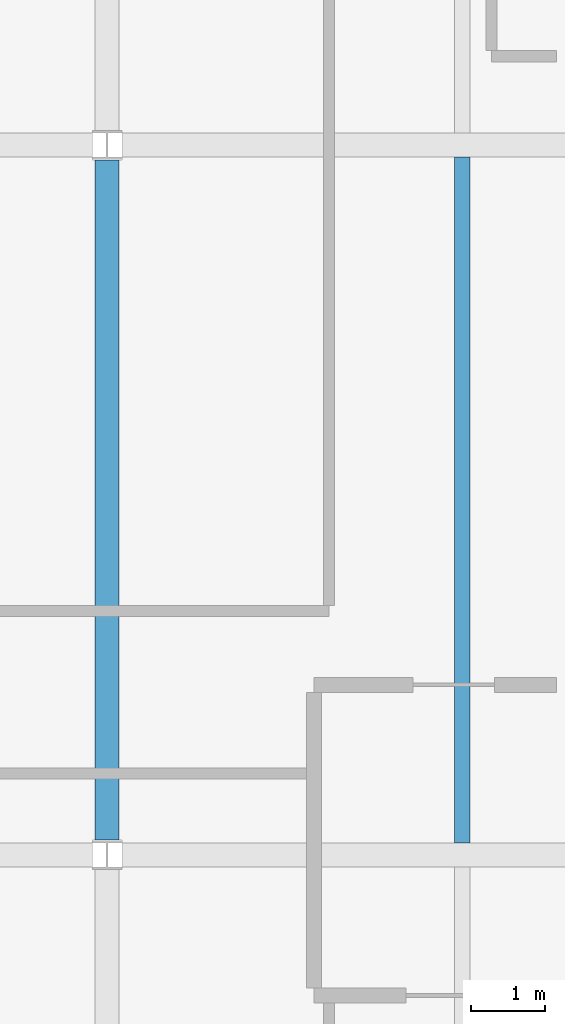
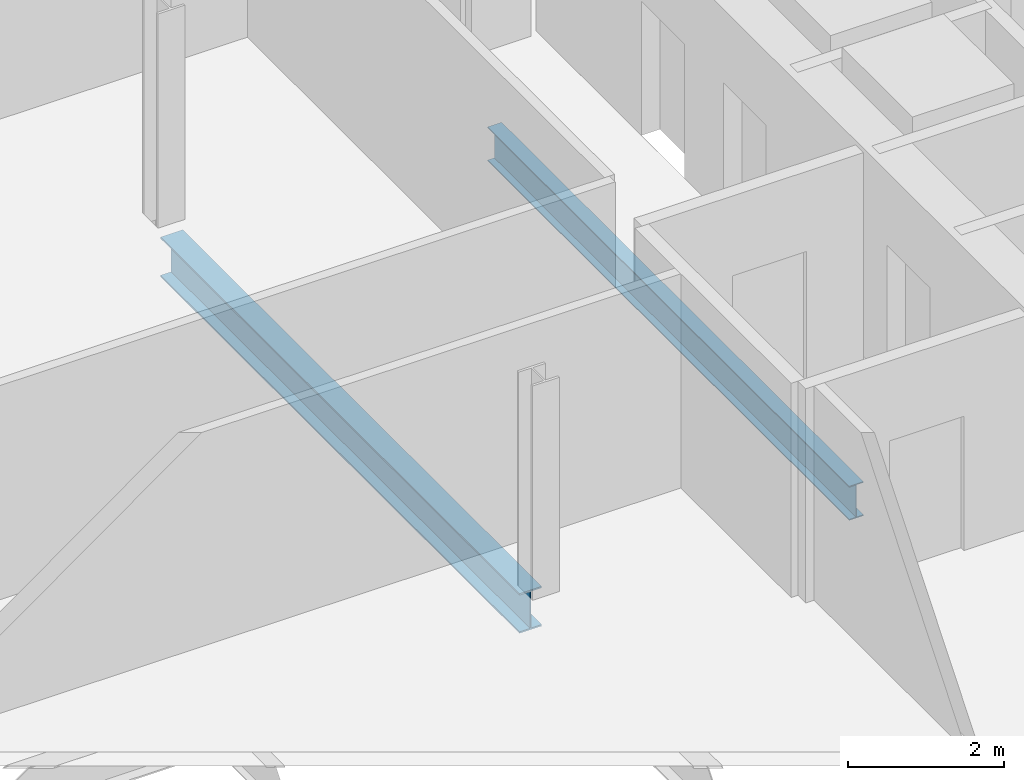
# One storey, part 5 of 15: 2 beams.
"""IFC4 building model written with IfcOpenShell, lengths in metres."""

from ifc_helpers import new_model, si_unit, direction, frame, origin, origin_2d, place, context, subcontext, project, spatial, i_section, extrude, material, material_profile, profile_set, type_object, element, save


model = new_model("IFC4")

# Units and contexts
model_context = context("Model", 3, precision=1e-05, world=origin(), true_north=direction((0.0, 1.0)))
body_context = subcontext(model_context, "Body", "Model", "MODEL_VIEW")
ifc_project = project(units=[si_unit("LENGTHUNIT", "METRE"), si_unit("AREAUNIT", "SQUARE_METRE"), si_unit("VOLUMEUNIT", "CUBIC_METRE"), si_unit("PLANEANGLEUNIT", "RADIAN"), si_unit("MASSUNIT", "GRAM", prefix="KILO")], contexts=[model_context])

# Site, building, storey
site_placement = place(None, origin())
site = spatial("IfcSite", under=ifc_project, at=site_placement, CompositionType="ELEMENT")
building_placement = place(site_placement, origin())
building = spatial("IfcBuilding", under=site, at=building_placement, Name="Cobrizo Arcos Hotel Tower", CompositionType="ELEMENT")
storey_placement = place(building_placement, frame((0.0, 0.0, 99.5)))
storey = spatial("IfcBuildingStorey", under=building, at=storey_placement, Name="L24", CompositionType="ELEMENT", Elevation=99.5)

# Beams
ifc_material = material(Name="Steel ASTM A992 Grade 50", Category="steel")
ifc_material_profile_1 = material_profile(ifc_material, i_section(OverallWidth=0.209228515625, OverallDepth=0.533447265625, WebThickness=0.01025390625, FlangeThickness=0.015625, at=origin_2d()), Name="W21X62")
ifc_profile_set_1 = profile_set([ifc_material_profile_1], Name="Steel ASTM A992 Grade 50")
beam_type_1 = type_object("IfcBeamType", Name="W21X62 joist", PredefinedType="JOIST", material=ifc_profile_set_1)
beam_1_placement = place(storey_placement, frame((14.39990234375, 0.163818359375, -0.416748046875), z_axis=(0.0, 1.0, 0.0), x_axis=(-1.0, 0.0, 0.0)))
element("IfcBeam", 1, at=beam_1_placement, inside=storey, type_object=beam_type_1, Name="Floor joist J1, L24, no. 017", PredefinedType="JOIST", context=body_context, shape_type="SweptSolid", body=[
    extrude(i_section(OverallWidth=0.209228515625, OverallDepth=0.533447265625, WebThickness=0.01025390625, FlangeThickness=0.015625, at=origin_2d()), origin(), (0.0, 0.0, 1.0), 9.272216796875),
])
ifc_material_profile_2 = material_profile(ifc_material, i_section(OverallWidth=0.32763671875, OverallDepth=0.622314453125, WebThickness=0.015380859375, FlangeThickness=0.0244140625, at=origin_2d()), Name="W24X131")
ifc_profile_set_2 = profile_set([ifc_material_profile_2], Name="Steel ASTM A992 Grade 50")
beam_type_2 = type_object("IfcBeamType", Name="W24X131 girder", PredefinedType="BEAM", material=ifc_profile_set_2)
beam_2_placement = place(storey_placement, frame((9.60009765625, 0.199462890625, -0.461181640625), z_axis=(0.0, 1.0, 0.0), x_axis=(-1.0, 0.0, 0.0)))
element("IfcBeam", 2, at=beam_2_placement, inside=storey, type_object=beam_type_2, Name="Floor girder G1, L24, no. 023", PredefinedType="BEAM", context=body_context, shape_type="SweptSolid", body=[
    extrude(i_section(OverallWidth=0.32763671875, OverallDepth=0.622314453125, WebThickness=0.015380859375, FlangeThickness=0.0244140625, at=origin_2d()), origin(), (0.0, 0.0, 1.0), 9.201171875),
])

save(model, "model.ifc")
